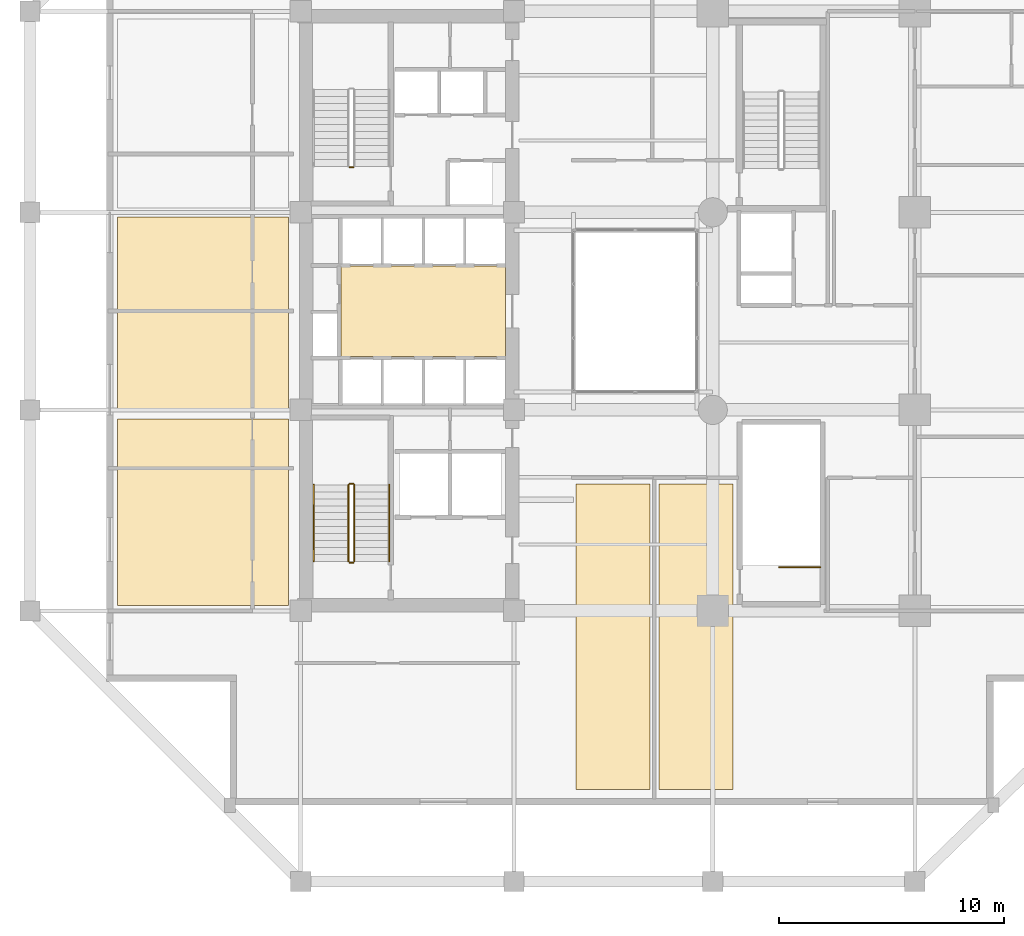
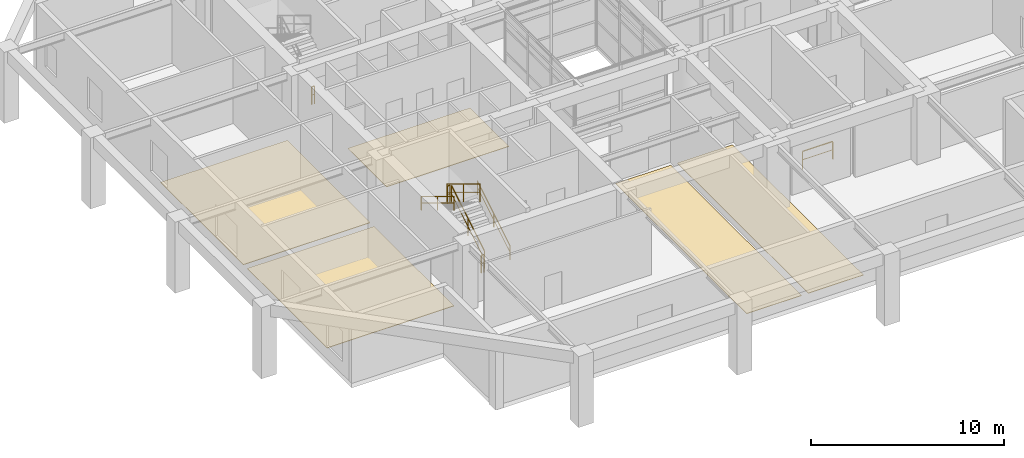
# One storey, part 11 of 13: 8 railings, 5 coverings.
"""IFC4 building model written with IfcOpenShell, lengths in metres."""

from ifc_helpers import new_model, si_unit, direction, frame, origin, origin_2d, place, context, subcontext, project, spatial, polyline, rectangle, outline, extrude, material, layer, layer_set, type_object, element, save


model = new_model("IFC4")

# Units and contexts
model_context = context("Model", 3, precision=1e-05, world=origin(), true_north=direction((0.0, 1.0)))
body_context = subcontext(model_context, "Body", "Model", "MODEL_VIEW")
ifc_project = project(units=[si_unit("LENGTHUNIT", "METRE"), si_unit("AREAUNIT", "SQUARE_METRE"), si_unit("VOLUMEUNIT", "CUBIC_METRE"), si_unit("PLANEANGLEUNIT", "RADIAN"), si_unit("MASSUNIT", "GRAM", prefix="KILO")], contexts=[model_context])

# Site, building, storey
site_placement = place(None, origin())
site = spatial("IfcSite", under=ifc_project, at=site_placement, CompositionType="ELEMENT")
building_placement = place(site_placement, origin())
building = spatial("IfcBuilding", under=site, at=building_placement, Name="Kundavana Baori Tower", CompositionType="ELEMENT")
storey_placement = place(building_placement, frame((0.0, 0.0, 21.5)))
storey = spatial("IfcBuildingStorey", under=building, at=storey_placement, Name="L04", CompositionType="ELEMENT", Elevation=21.5)

# Coverings
ifc_material_1 = material(Name="Honed Kota Stone and Terrazzo Flooring", Category="masonry")
ifc_layer = layer(ifc_material_1, 0.030029296875, Name="COV-INT-FLR")
ifc_layer_set = layer_set([ifc_layer], Name="Honed Kota Stone and Terrazzo Flooring")
covering_type = type_object("IfcCoveringType", Name="COV-INT-FLR", PredefinedType="FLOORING", material=ifc_layer_set)
covering_1_placement = place(storey_placement, origin())
element("IfcCovering", 1, at=covering_1_placement, inside=storey, type_object=covering_type, Name="L04 Room Finished Stone Flooring 1", PredefinedType="FLOORING", context=body_context, shape_type="SweptSolid", body=[
    extrude(outline(polyline([(7.300048828125, 15.5), (14.89990234375, 15.5), (14.89990234375, 23.800048828125), (7.300048828125, 23.800048828125), (7.300048828125, 15.5)])), origin(), (0.0, 0.0, 1.0), 0.030029296875),
])
covering_2_placement = place(storey_placement, origin())
element("IfcCovering", 2, at=covering_2_placement, inside=storey, type_object=covering_type, Name="L04 Room Finished Stone Flooring 2", PredefinedType="FLOORING", context=body_context, shape_type="SweptSolid", body=[
    extrude(outline(polyline([(7.300048828125, 24.199951171875), (14.89990234375, 24.199951171875), (14.89990234375, 32.800048828125), (7.300048828125, 32.800048828125), (7.300048828125, 24.199951171875)])), origin(), (0.0, 0.0, 1.0), 0.030029296875),
])
covering_3_placement = place(storey_placement, origin())
element("IfcCovering", 3, at=covering_3_placement, inside=storey, type_object=covering_type, Name="L04 Room Finished Stone Flooring 5", PredefinedType="FLOORING", context=body_context, shape_type="SweptSolid", body=[
    extrude(outline(polyline([(27.699951171875, 7.300048828125), (31.0, 7.300048828125), (31.0, 20.89990234375), (27.699951171875, 20.89990234375), (27.699951171875, 7.300048828125)])), origin(), (0.0, 0.0, 1.0), 0.030029296875),
])
covering_4_placement = place(storey_placement, origin())
element("IfcCovering", 4, at=covering_4_placement, inside=storey, type_object=covering_type, Name="L04 Room Finished Stone Flooring 6", PredefinedType="FLOORING", context=body_context, shape_type="SweptSolid", body=[
    extrude(outline(polyline([(31.39990234375, 7.300048828125), (34.699951171875, 7.300048828125), (34.699951171875, 20.89990234375), (31.39990234375, 20.89990234375), (31.39990234375, 7.300048828125)])), origin(), (0.0, 0.0, 1.0), 0.030029296875),
])
covering_5_placement = place(storey_placement, origin())
element("IfcCovering", 5, at=covering_5_placement, inside=storey, type_object=covering_type, Name="L04 Core Lift Lobby Kota Stone Flooring", PredefinedType="FLOORING", context=body_context, shape_type="SweptSolid", body=[
    extrude(outline(polyline([(17.25, 26.580078125), (24.580078125, 26.580078125), (24.580078125, 30.60009765625), (17.25, 30.60009765625), (17.25, 26.580078125)])), origin(), (0.0, 0.0, 1.0), 0.030029296875),
])

# Railings
ifc_material_2 = material(Name="Architectural Patinated Bronze Metalwork")
railing_type_1 = type_object("IfcRailingType", Name="RL-GRD-1150", PredefinedType="GUARDRAIL", material=ifc_material_2)
railing_1_placement = place(storey_placement, frame((17.840087890625, 17.449951171875, 0.1875)))
element("IfcRailing", 6, at=railing_1_placement, inside=storey, type_object=railing_type_1, Name="L04 ST1 stair guard 1", PredefinedType="GUARDRAIL", context=body_context, shape_type="SweptSolid", body=[
    extrude(rectangle(XDim=0.048095703125, YDim=0.048095703125, at=origin_2d()), frame((0.0, 0.0, 1.1259765625), z_axis=(0.0, 0.855671421885, 0.517519485401), x_axis=(-1.0, 0.0, 0.0)), (0.0, 0.0, 1.0), 3.9853515625),
    extrude(rectangle(XDim=0.03125, YDim=0.03125, at=origin_2d()), frame((0.0, 0.0, 0.597900390625), z_axis=(0.0, 0.855671421885, 0.517519485401), x_axis=(-1.0, 0.0, 0.0)), (0.0, 0.0, 1.0), 3.9853515625),
    extrude(rectangle(XDim=0.0419921875, YDim=0.0419921875, at=origin_2d()), origin(), (0.0, 0.0, 1.0), 1.101806640625),
    extrude(rectangle(XDim=0.0419921875, YDim=0.0419921875, at=origin_2d()), frame((0.0, 1.705078125, 1.03125)), (0.0, 0.0, 1.0), 1.101806640625),
    extrude(rectangle(XDim=0.0419921875, YDim=0.0419921875, at=origin_2d()), frame((0.0, 3.41015625, 2.0625)), (0.0, 0.0, 1.0), 1.101806640625),
])
railing_2_placement = place(storey_placement, frame((17.7900390625, 20.909912109375, 2.25)))
element("IfcRailing", 7, at=railing_2_placement, inside=storey, type_object=railing_type_1, Name="L04 ST1 stair guard 2", PredefinedType="GUARDRAIL", context=body_context, shape_type="SweptSolid", body=[
    extrude(rectangle(XDim=0.048095703125, YDim=0.048095703125, at=origin_2d()), frame((0.0, 0.0, 1.1259765625), z_axis=(-1.0, 0.0, 0.0), x_axis=(0.0, -1.0, 0.0)), (0.0, 0.0, 1.0), 0.16015625),
    extrude(rectangle(XDim=0.03125, YDim=0.03125, at=origin_2d()), frame((0.0, 0.0, 0.597900390625), z_axis=(-1.0, 0.0, 0.0), x_axis=(0.0, -1.0, 0.0)), (0.0, 0.0, 1.0), 0.16015625),
    extrude(rectangle(XDim=0.0419921875, YDim=0.0419921875, at=origin_2d()), origin(), (0.0, 0.0, 1.0), 1.101806640625),
    extrude(rectangle(XDim=0.0419921875, YDim=0.0419921875, at=origin_2d()), frame((-0.16015625, 0.0, 0.0)), (0.0, 0.0, 1.0), 1.101806640625),
])
railing_3_placement = place(storey_placement, frame((17.580078125, 20.860107421875, 2.4375)))
element("IfcRailing", 8, at=railing_3_placement, inside=storey, type_object=railing_type_1, Name="L04 ST1 stair guard 3", PredefinedType="GUARDRAIL", context=body_context, shape_type="SweptSolid", body=[
    extrude(rectangle(XDim=0.048095703125, YDim=0.048095703125, at=origin_2d()), frame((0.0, 0.0, 1.1259765625), z_axis=(0.0, -0.855671421885, 0.517519485401), x_axis=(1.0, 0.0, 0.0)), (0.0, 0.0, 1.0), 3.9853515625),
    extrude(rectangle(XDim=0.03125, YDim=0.03125, at=origin_2d()), frame((0.0, 0.0, 0.597900390625), z_axis=(0.0, -0.855671421885, 0.517519485401), x_axis=(1.0, 0.0, 0.0)), (0.0, 0.0, 1.0), 3.9853515625),
    extrude(rectangle(XDim=0.0419921875, YDim=0.0419921875, at=origin_2d()), origin(), (0.0, 0.0, 1.0), 1.101806640625),
    extrude(rectangle(XDim=0.0419921875, YDim=0.0419921875, at=origin_2d()), frame((0.0, -1.705078125, 1.03125)), (0.0, 0.0, 1.0), 1.101806640625),
    extrude(rectangle(XDim=0.0419921875, YDim=0.0419921875, at=origin_2d()), frame((0.0, -3.41015625, 2.0625)), (0.0, 0.0, 1.0), 1.101806640625),
])
for number, where, name in (
    (9, (17.7900390625, 17.39990234375, 0.0), "L04 ST1 stair guard 4"),
    (10, (17.7900390625, 35.0, 0.0), "L04 ST2 stair guard 4"),
):
    element("IfcRailing", number, at=place(storey_placement, frame(where)), inside=storey, type_object=railing_type_1, Name=name, PredefinedType="GUARDRAIL", context=body_context, shape_type="SweptSolid", body=[
        extrude(rectangle(XDim=0.048095703125, YDim=0.048095703125, at=origin_2d()), frame((0.0, 0.0, 1.1259765625), z_axis=(-1.0, 0.0, 0.0), x_axis=(0.0, -1.0, 0.0)), (0.0, 0.0, 1.0), 0.16015625),
        extrude(rectangle(XDim=0.03125, YDim=0.03125, at=origin_2d()), frame((0.0, 0.0, 0.597900390625), z_axis=(-1.0, 0.0, 0.0), x_axis=(0.0, -1.0, 0.0)), (0.0, 0.0, 1.0), 0.16015625),
        extrude(rectangle(XDim=0.0419921875, YDim=0.0419921875, at=origin_2d()), origin(), (0.0, 0.0, 1.0), 1.101806640625),
        extrude(rectangle(XDim=0.0419921875, YDim=0.0419921875, at=origin_2d()), frame((-0.16015625, 0.0, 0.0)), (0.0, 0.0, 1.0), 1.101806640625),
    ])
railing_4_placement = place(storey_placement, frame((38.580078125, 17.199951171875, 0.0)))
element("IfcRailing", 11, at=railing_4_placement, inside=storey, type_object=railing_type_1, Name="L04 ST4 top well guard 1", PredefinedType="GUARDRAIL", context=body_context, shape_type="SweptSolid", body=[
    extrude(rectangle(XDim=0.048095703125, YDim=0.048095703125, at=origin_2d()), frame((0.0, 0.0, 1.1259765625), z_axis=(-1.0, 0.0, 0.0), x_axis=(0.0, -1.0, 0.0)), (0.0, 0.0, 1.0), 1.81005859375),
    extrude(rectangle(XDim=0.03125, YDim=0.03125, at=origin_2d()), frame((0.0, 0.0, 0.597900390625), z_axis=(-1.0, 0.0, 0.0), x_axis=(0.0, -1.0, 0.0)), (0.0, 0.0, 1.0), 1.81005859375),
    extrude(rectangle(XDim=0.0419921875, YDim=0.0419921875, at=origin_2d()), origin(), (0.0, 0.0, 1.0), 1.101806640625),
    extrude(rectangle(XDim=0.0419921875, YDim=0.0419921875, at=origin_2d()), frame((-1.81005859375, 0.0, 0.0)), (0.0, 0.0, 1.0), 1.101806640625),
])
ifc_material_3 = material(Name="Architectural Patinated Bronze Metalwork")
railing_type_2 = type_object("IfcRailingType", Name="RL-HND-920", PredefinedType="HANDRAIL", material=ifc_material_3)
railing_5_placement = place(storey_placement, frame((19.389892578125, 17.449951171875, 0.1875)))
element("IfcRailing", 12, at=railing_5_placement, inside=storey, type_object=railing_type_2, Name="L04 ST1 stair handrail 1", PredefinedType="HANDRAIL", context=body_context, shape_type="SweptSolid", body=[
    extrude(rectangle(XDim=0.048095703125, YDim=0.048095703125, at=origin_2d()), frame((0.0, 0.0, 0.8759765625), z_axis=(0.0, 0.855671421885, 0.517519485401), x_axis=(-1.0, 0.0, 0.0)), (0.0, 0.0, 1.0), 3.9853515625),
    extrude(rectangle(XDim=0.03125, YDim=0.03125, at=origin_2d()), frame((0.0, 0.0, 0.468017578125), z_axis=(0.0, 0.855671421885, 0.517519485401), x_axis=(-1.0, 0.0, 0.0)), (0.0, 0.0, 1.0), 3.9853515625),
    extrude(rectangle(XDim=0.0419921875, YDim=0.0419921875, at=origin_2d()), origin(), (0.0, 0.0, 1.0), 0.851806640625),
    extrude(rectangle(XDim=0.0419921875, YDim=0.0419921875, at=origin_2d()), frame((0.0, 1.705078125, 1.03125)), (0.0, 0.0, 1.0), 0.851806640625),
    extrude(rectangle(XDim=0.0419921875, YDim=0.0419921875, at=origin_2d()), frame((0.0, 3.41015625, 2.0625)), (0.0, 0.0, 1.0), 0.851806640625),
])
railing_6_placement = place(storey_placement, frame((16.030029296875, 20.860107421875, 2.4375)))
element("IfcRailing", 13, at=railing_6_placement, inside=storey, type_object=railing_type_2, Name="L04 ST1 stair handrail 2", PredefinedType="HANDRAIL", context=body_context, shape_type="SweptSolid", body=[
    extrude(rectangle(XDim=0.048095703125, YDim=0.048095703125, at=origin_2d()), frame((0.0, 0.0, 0.8759765625), z_axis=(0.0, -0.855671421885, 0.517519485401), x_axis=(1.0, 0.0, 0.0)), (0.0, 0.0, 1.0), 3.9853515625),
    extrude(rectangle(XDim=0.03125, YDim=0.03125, at=origin_2d()), frame((0.0, 0.0, 0.468017578125), z_axis=(0.0, -0.855671421885, 0.517519485401), x_axis=(1.0, 0.0, 0.0)), (0.0, 0.0, 1.0), 3.9853515625),
    extrude(rectangle(XDim=0.0419921875, YDim=0.0419921875, at=origin_2d()), origin(), (0.0, 0.0, 1.0), 0.851806640625),
    extrude(rectangle(XDim=0.0419921875, YDim=0.0419921875, at=origin_2d()), frame((0.0, -1.705078125, 1.03125)), (0.0, 0.0, 1.0), 0.851806640625),
    extrude(rectangle(XDim=0.0419921875, YDim=0.0419921875, at=origin_2d()), frame((0.0, -3.41015625, 2.0625)), (0.0, 0.0, 1.0), 0.851806640625),
])

save(model, "model.ifc")
